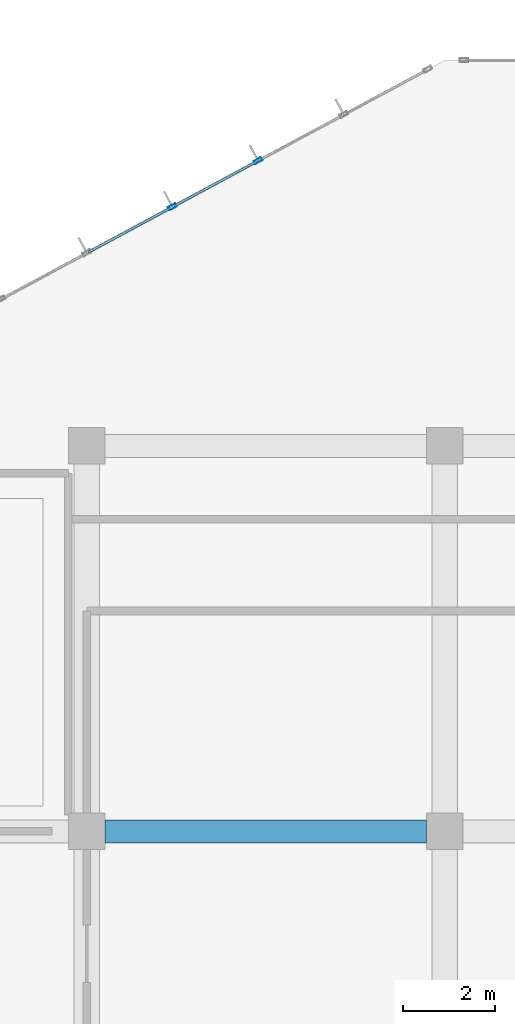
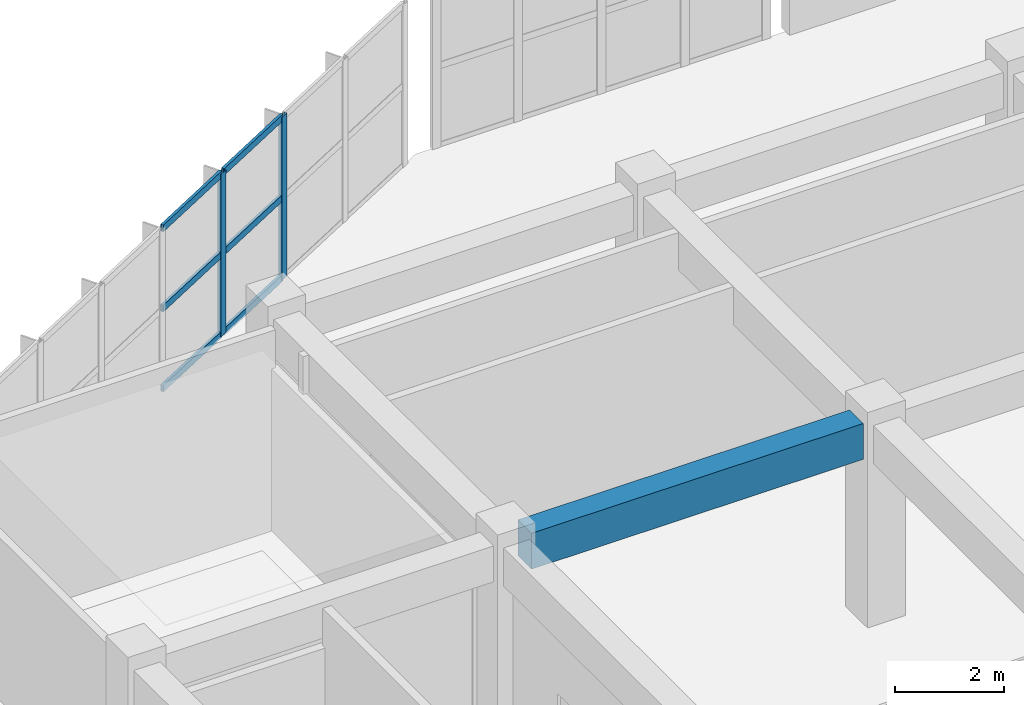
# One storey, part 31 of 139: 8 members, 1 beam, 1 element without a shape of its own.
"""IFC4 building model written with IfcOpenShell, lengths in metres."""

import ifcopenshell
import ifcopenshell.guid

model = None  # the IFC model being written
_history = None  # IfcOwnerHistory: only IFC2X3 demands one
_inside = {}  # id of a spatial element -> (the spatial element, [elements in it])
_under = {}  # id of a project, library or spatial element -> (it, [spatial elements below it])
_declared = {}  # id of a project -> (the project, [libraries it declares])
_typed = {}  # id of a type object -> (the type object, [elements of that type])
_made_of = {}  # id of a material, layer set ... -> (it, [elements and type objects made of it])


def new_model(schema):
    """Start an empty IFC model of exactly this schema.

    Asked for "IFC4X3", IfcOpenShell would pick the latest addendum, in which some entities
    have other attributes; the version numbers below select the first issue.
    IFC2X3 requires an IfcOwnerHistory on every rooted entity: one is made here for all.
    """
    global model, _history
    if schema == "IFC4X3":
        model = ifcopenshell.file(schema_version=(4, 3, 0, 0))
    else:
        model = ifcopenshell.file(schema=schema)
    _inside.clear()
    _under.clear()
    _declared.clear()
    _typed.clear()
    _made_of.clear()
    _history = None
    if model.schema == "IFC2X3":
        org = make("IfcOrganization", Name="unknown")
        user = make(
            "IfcPersonAndOrganization",
            ThePerson=make("IfcPerson", FamilyName="unknown"),
            TheOrganization=org,
        )
        app = make(
            "IfcApplication",
            ApplicationDeveloper=org,
            Version="unknown",
            ApplicationFullName="unknown",
            ApplicationIdentifier="unknown",
        )
        _history = make(
            "IfcOwnerHistory",
            OwningUser=user,
            OwningApplication=app,
            ChangeAction="ADDED",
            CreationDate=0,
        )
    return model


def make(cls, **values):
    """One entity of the class cls with the attributes given. An attribute that is None is left unset."""
    return model.create_entity(
        cls, **{name: value for name, value in values.items() if value is not None}
    )


def rooted(cls, **values):
    """An entity with a GlobalId (a new one), such as an element, a storey or a relation."""
    return make(cls, GlobalId=ifcopenshell.guid.new(), OwnerHistory=_history, **values)


def si_unit(unit_type, name, prefix=None):
    """IfcSIUnit, for example si_unit("LENGTHUNIT", "METRE", prefix="MILLI")."""
    return make("IfcSIUnit", UnitType=unit_type, Prefix=prefix, Name=name)


def assignment(units):
    """IfcUnitAssignment: the units of a project."""
    return None if units is None else make("IfcUnitAssignment", Units=units)


def point(xyz):
    """IfcCartesianPoint."""
    return None if xyz is None else make("IfcCartesianPoint", Coordinates=xyz)


def direction(xyz):
    """IfcDirection."""
    return None if xyz is None else make("IfcDirection", DirectionRatios=xyz)


def frame(location, z_axis=None, x_axis=None):
    """IfcAxis2Placement3D, a coordinate frame: its origin and axes. An axis left out is left unset."""
    return make(
        "IfcAxis2Placement3D",
        Location=point(location),
        Axis=direction(z_axis),
        RefDirection=direction(x_axis),
    )


def frame_2d(location, x_axis=None):
    """IfcAxis2Placement2D, a coordinate frame in the plane: its origin and x axis."""
    return make(
        "IfcAxis2Placement2D", Location=point(location), RefDirection=direction(x_axis)
    )


def origin():
    """The frame at (0, 0, 0) with its axes left unset."""
    return frame((0.0, 0.0, 0.0))


def origin_2d():
    """The frame at (0, 0) in the plane with its x axis left unset."""
    return frame_2d((0.0, 0.0))


def place(relative_to, where):
    """IfcLocalPlacement: puts the frame where relative to a parent placement (None: the world)."""
    return make(
        "IfcLocalPlacement", PlacementRelTo=relative_to, RelativePlacement=where
    )


def context(
    kind, dimensions, precision=None, world=None, true_north=None, identifier=None
):
    """IfcGeometricRepresentationContext, for example the 3D "Model" context."""
    return make(
        "IfcGeometricRepresentationContext",
        ContextIdentifier=identifier,
        ContextType=kind,
        CoordinateSpaceDimension=dimensions,
        Precision=precision,
        WorldCoordinateSystem=world,
        TrueNorth=true_north,
    )


def subcontext(parent, identifier, kind, view, scale=None):
    """IfcGeometricRepresentationSubContext, for example "Body" below "Model"."""
    return make(
        "IfcGeometricRepresentationSubContext",
        ContextIdentifier=identifier,
        ContextType=kind,
        ParentContext=parent,
        TargetScale=scale,
        TargetView=view,
    )


def project(units=None, contexts=None):
    """IfcProject with its units and contexts."""
    return rooted(
        "IfcProject",
        Name="project",
        RepresentationContexts=contexts,
        UnitsInContext=assignment(units),
    )


def spatial(cls, under=None, at=None, **own):
    """A site, building, storey or space (cls), placed at a placement, below another one or the project."""
    s = rooted(cls, ObjectPlacement=at, **own)
    if under is not None:
        _under.setdefault(under.id(), (under, []))[1].append(s)
    return s


def profile(cls, at=None, kind="AREA", **sizes):
    """A parametric profile (cls). Its sizes go by their IFC names, for example OverallWidth=200.0."""
    return make(cls, ProfileType=kind, Position=at, **sizes)


def rectangle(**sizes):
    """IfcRectangleProfileDef."""
    return profile("IfcRectangleProfileDef", **sizes)


def hollow_rectangle(**sizes):
    """IfcRectangleHollowProfileDef."""
    return profile("IfcRectangleHollowProfileDef", **sizes)


def extrude(swept, where, along, depth):
    """IfcExtrudedAreaSolid: the profile swept, set in the frame where, extruded along a direction by depth."""
    return make(
        "IfcExtrudedAreaSolid",
        SweptArea=swept,
        Position=where,
        ExtrudedDirection=direction(along),
        Depth=depth,
    )


def shape(context_of_items, identifier, shape_type, items):
    """IfcShapeRepresentation: the items that make up one representation, for example the "Body"."""
    return make(
        "IfcShapeRepresentation",
        ContextOfItems=context_of_items,
        RepresentationIdentifier=identifier,
        RepresentationType=shape_type,
        Items=items,
    )


def material(Name=None, Category=None):
    """IfcMaterial."""
    return make("IfcMaterial", Name=Name, Category=Category)


def layer(
    of_material, thickness, ventilated=None, Name=None, Category=None, Priority=None
):
    """IfcMaterialLayer: one layer of a wall or slab, of a material (None: an air gap)."""
    return make(
        "IfcMaterialLayer",
        Material=of_material,
        LayerThickness=thickness,
        IsVentilated=ventilated,
        Name=Name,
        Category=Category,
        Priority=Priority,
    )


def layer_set(layers, Name=None):
    """IfcMaterialLayerSet."""
    return make("IfcMaterialLayerSet", MaterialLayers=layers, LayerSetName=Name)


def material_profile(
    of_material, cross_section, Name=None, Category=None, Priority=None
):
    """IfcMaterialProfile: a cross section and its material."""
    return make(
        "IfcMaterialProfile",
        Name=Name,
        Material=of_material,
        Profile=cross_section,
        Priority=Priority,
        Category=Category,
    )


def profile_set(profiles, Name=None, composite=None):
    """IfcMaterialProfileSet."""
    return make(
        "IfcMaterialProfileSet",
        Name=Name,
        MaterialProfiles=profiles,
        CompositeProfile=composite,
    )


def made_of(thing, what):
    """Note that an element or type object is made of a material, layer set ...; save() writes the relation."""
    if what is not None:
        _made_of.setdefault(what.id(), (what, []))[1].append(thing)
    return thing


def type_object(cls, material=None, **own):
    """A type object (cls), such as IfcWallType, which elements share."""
    return made_of(rooted(cls, **own), material)


def element(
    cls,
    number,
    at=None,
    inside=None,
    cuts=None,
    type_object=None,
    material=None,
    context=None,
    identifier="Body",
    shape_type=None,
    held_by="IfcProductDefinitionShape",
    body=None,
    shapes=None,
    **own,
):
    """One element of the class cls, such as IfcWall. Its Tag is "e" and its number.

    at: its placement. inside: the storey or other place that contains it. cuts: it is an
    opening in that element (IfcRelVoidsElement). A single representation is given by context,
    identifier, shape_type and body (its items); several are given by shapes. held_by: the class
    of the entity that holds the representations. save() writes the other relations.
    """
    e = rooted(cls, Tag="e%d" % number, ObjectPlacement=at, **own)
    if body is not None:
        shapes = [shape(context, identifier, shape_type, body)]
    if shapes is not None:
        e.Representation = make(held_by, Representations=shapes)
    if inside is not None:
        _inside.setdefault(inside.id(), (inside, []))[1].append(e)
    if cuts is not None:
        rooted(
            "IfcRelVoidsElement", RelatingBuildingElement=cuts, RelatedOpeningElement=e
        )
    if type_object is not None:
        _typed.setdefault(type_object.id(), (type_object, []))[1].append(e)
    return made_of(e, material)


def aggregate(whole, parts):
    """IfcRelAggregates: a whole, such as a stair, and the parts it consists of."""
    return rooted("IfcRelAggregates", RelatingObject=whole, RelatedObjects=parts)


def save(model, path):
    """Write the relations noted so far, then the file.

    IfcRelAggregates (storeys below a building ...), IfcRelContainedInSpatialStructure (elements
    in a storey), IfcRelDefinesByType, IfcRelAssociatesMaterial and IfcRelDeclares: one each for
    every whole, place, type object, material and project.
    """
    for whole, parts in _under.values():
        aggregate(whole, parts)
    for where, things in _inside.values():
        rooted(
            "IfcRelContainedInSpatialStructure",
            RelatedElements=things,
            RelatingStructure=where,
        )
    for kind, things in _typed.values():
        rooted("IfcRelDefinesByType", RelatedObjects=things, RelatingType=kind)
    for what, things in _made_of.values():
        rooted("IfcRelAssociatesMaterial", RelatedObjects=things, RelatingMaterial=what)
    for by, libraries in _declared.values():
        rooted("IfcRelDeclares", RelatingContext=by, RelatedDefinitions=libraries)
    model.write(path)


model = new_model("IFC4")

# Units and contexts
model_context = context("Model", 3, precision=1e-05, world=origin(), true_north=direction((0.0, 1.0)))
body_context = subcontext(model_context, "Body", "Model", "MODEL_VIEW")
ifc_project = project(units=[si_unit("LENGTHUNIT", "METRE"), si_unit("AREAUNIT", "SQUARE_METRE"), si_unit("VOLUMEUNIT", "CUBIC_METRE"), si_unit("PLANEANGLEUNIT", "RADIAN"), si_unit("MASSUNIT", "GRAM", prefix="KILO")], contexts=[model_context])

# Site, building, storey
site_placement = place(None, origin())
site = spatial("IfcSite", under=ifc_project, at=site_placement, CompositionType="ELEMENT")
building_placement = place(site_placement, origin())
building = spatial("IfcBuilding", under=site, at=building_placement, Name="Zizhar Promenade General Hospital", CompositionType="ELEMENT")
storey_placement = place(building_placement, origin())
storey = spatial("IfcBuildingStorey", under=building, at=storey_placement, Name="L00", CompositionType="ELEMENT", Elevation=0.0)

# Beam
ifc_material_1 = material(Name="Concrete C35/45", Category="concrete")
ifc_material_profile_1 = material_profile(ifc_material_1, rectangle(XDim=0.5, YDim=0.800048828125, at=origin_2d()))
ifc_profile_set_1 = profile_set([ifc_material_profile_1], Name="Concrete C35/45")
beam_type = type_object("IfcBeamType", Name="BM-RC-500x800", PredefinedType="BEAM", material=ifc_profile_set_1)
beam_placement = place(storey_placement, frame((23.800048828125, 67.199951171875, 4.070068359375), z_axis=(1.0, 0.0, 0.0), x_axis=(0.0, 1.0, 0.0)))
element("IfcBeam", 1, at=beam_placement, inside=storey, type_object=beam_type, Name="Grid Beam X L00 (3-8)", PredefinedType="BEAM", context=body_context, shape_type="SweptSolid", body=[
    extrude(rectangle(XDim=0.5, YDim=0.800048828125, at=origin_2d()), origin(), (0.0, 0.0, 1.0), 7.0),
])

# Curtain wall, members
ifc_material_2 = material(Name="Anodised aluminium 6063-T6 and low-E glass", Category="aluminium")
ifc_layer = layer(ifc_material_2, 0.159912109375)
ifc_layer_set = layer_set([ifc_layer], Name="Anodised aluminium 6063-T6 and low-E glass")
curtain_wall_type = type_object("IfcCurtainWallType", Name="CW-DT-MOD2", PredefinedType="NOTDEFINED", material=ifc_layer_set)
curtain_wall_placement = place(storey_placement, origin())
curtain_wall = element("IfcCurtainWall", 2, at=curtain_wall_placement, inside=storey, type_object=curtain_wall_type, Name="West Diagnostic Arm Glazed Curtain Wall L00-NW3", PredefinedType="NOTDEFINED")
ifc_material_3 = material(Name="Anodised aluminium 6063-T6", Category="aluminium")
ifc_material_profile_2 = material_profile(ifc_material_3, hollow_rectangle(XDim=0.080078125, YDim=0.179931640625, WallThickness=0.0048828125, at=origin_2d()))
ifc_profile_set_2 = profile_set([ifc_material_profile_2], Name="Anodised aluminium 6063-T6")
member_type_1 = type_object("IfcMemberType", Name="CWM-ALU-180x80", PredefinedType="MULLION", material=ifc_profile_set_2)
member_1_placement = place(storey_placement, frame((25.266357421875, 80.804931640625, 0.0), z_axis=(0.0, 0.0, 1.0), x_axis=(-0.474097009774, 0.880472614749, 0.0)))
member_1 = element("IfcMember", 3, at=member_1_placement, type_object=member_type_1, Name="CW-08 mullion 6", PredefinedType="MULLION", context=body_context, shape_type="SweptSolid", body=[
    extrude(hollow_rectangle(XDim=0.080078125, YDim=0.179931640625, WallThickness=0.0048828125, at=origin_2d()), origin(), (0.0, 0.0, 1.0), 3.6298828125),
])
member_2_placement = place(storey_placement, frame((27.1328125, 81.809814453125, 0.0), z_axis=(0.0, 0.0, 1.0), x_axis=(-0.474097009774, 0.880472614749, 0.0)))
member_2 = element("IfcMember", 4, at=member_2_placement, type_object=member_type_1, Name="CW-08 mullion 7", PredefinedType="MULLION", context=body_context, shape_type="SweptSolid", body=[
    extrude(hollow_rectangle(XDim=0.080078125, YDim=0.179931640625, WallThickness=0.0048828125, at=origin_2d()), origin(), (0.0, 0.0, 1.0), 3.6298828125),
])
ifc_material_4 = material(Name="Anodised aluminium 6063-T6", Category="aluminium")
ifc_material_profile_3 = material_profile(ifc_material_4, hollow_rectangle(XDim=0.06005859375, YDim=0.14990234375, WallThickness=0.00390625, at=origin_2d()))
ifc_profile_set_3 = profile_set([ifc_material_profile_3], Name="Anodised aluminium 6063-T6")
member_type_2 = type_object("IfcMemberType", Name="CWT-ALU-150x60", PredefinedType="USERDEFINED", material=ifc_profile_set_3)
member_3_placement = place(storey_placement, frame((23.435302734375, 79.81884765625, 0.030029296875), z_axis=(0.880467256516, 0.47410696072, 0.0), x_axis=(-0.47410696072, 0.880467256516, 0.0)))
member_3 = element("IfcMember", 5, at=member_3_placement, type_object=member_type_2, Name="CW-08 transom 5.1", ObjectType="TRANSOM", PredefinedType="USERDEFINED", context=body_context, shape_type="SweptSolid", body=[
    extrude(hollow_rectangle(XDim=0.06005859375, YDim=0.14990234375, WallThickness=0.00390625, at=origin_2d()), origin(), (0.0, 0.0, 1.0), 2.039794921875),
])
member_4_placement = place(storey_placement, frame((23.435302734375, 79.81884765625, 1.81494140625), z_axis=(0.880467256516, 0.47410696072, 0.0), x_axis=(-0.47410696072, 0.880467256516, 0.0)))
member_4 = element("IfcMember", 6, at=member_4_placement, type_object=member_type_2, Name="CW-08 transom 5.2", ObjectType="TRANSOM", PredefinedType="USERDEFINED", context=body_context, shape_type="SweptSolid", body=[
    extrude(hollow_rectangle(XDim=0.06005859375, YDim=0.14990234375, WallThickness=0.00390625, at=origin_2d()), origin(), (0.0, 0.0, 1.0), 2.039794921875),
])
member_5_placement = place(storey_placement, frame((23.435302734375, 79.81884765625, 3.60009765625), z_axis=(0.880467256516, 0.47410696072, 0.0), x_axis=(-0.47410696072, 0.880467256516, 0.0)))
member_5 = element("IfcMember", 7, at=member_5_placement, type_object=member_type_2, Name="CW-08 transom 5.3", ObjectType="TRANSOM", PredefinedType="USERDEFINED", context=body_context, shape_type="SweptSolid", body=[
    extrude(hollow_rectangle(XDim=0.06005859375, YDim=0.14990234375, WallThickness=0.00390625, at=origin_2d()), origin(), (0.0, 0.0, 1.0), 2.039794921875),
])
member_6_placement = place(storey_placement, frame((25.301513671875, 80.823974609375, 0.030029296875), z_axis=(0.880467256516, 0.47410696072, 0.0), x_axis=(-0.47410696072, 0.880467256516, 0.0)))
member_6 = element("IfcMember", 8, at=member_6_placement, type_object=member_type_2, Name="CW-08 transom 6.1", ObjectType="TRANSOM", PredefinedType="USERDEFINED", context=body_context, shape_type="SweptSolid", body=[
    extrude(hollow_rectangle(XDim=0.06005859375, YDim=0.14990234375, WallThickness=0.00390625, at=origin_2d()), origin(), (0.0, 0.0, 1.0), 2.039794921875),
])
member_7_placement = place(storey_placement, frame((25.301513671875, 80.823974609375, 1.81494140625), z_axis=(0.880467256516, 0.47410696072, 0.0), x_axis=(-0.47410696072, 0.880467256516, 0.0)))
member_7 = element("IfcMember", 9, at=member_7_placement, type_object=member_type_2, Name="CW-08 transom 6.2", ObjectType="TRANSOM", PredefinedType="USERDEFINED", context=body_context, shape_type="SweptSolid", body=[
    extrude(hollow_rectangle(XDim=0.06005859375, YDim=0.14990234375, WallThickness=0.00390625, at=origin_2d()), origin(), (0.0, 0.0, 1.0), 2.039794921875),
])
member_8_placement = place(storey_placement, frame((25.301513671875, 80.823974609375, 3.60009765625), z_axis=(0.880467256516, 0.47410696072, 0.0), x_axis=(-0.47410696072, 0.880467256516, 0.0)))
member_8 = element("IfcMember", 10, at=member_8_placement, type_object=member_type_2, Name="CW-08 transom 6.3", ObjectType="TRANSOM", PredefinedType="USERDEFINED", context=body_context, shape_type="SweptSolid", body=[
    extrude(hollow_rectangle(XDim=0.06005859375, YDim=0.14990234375, WallThickness=0.00390625, at=origin_2d()), origin(), (0.0, 0.0, 1.0), 2.039794921875),
])
aggregate(curtain_wall, [member_1, member_2, member_3, member_4, member_5, member_6, member_7, member_8])

save(model, "model.ifc")
